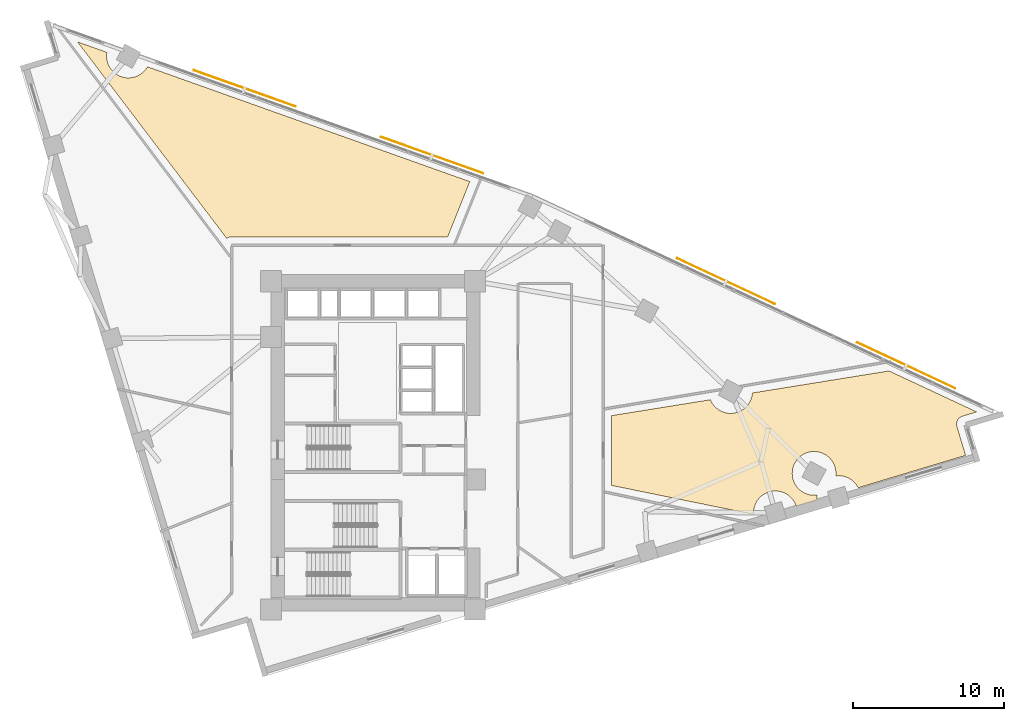
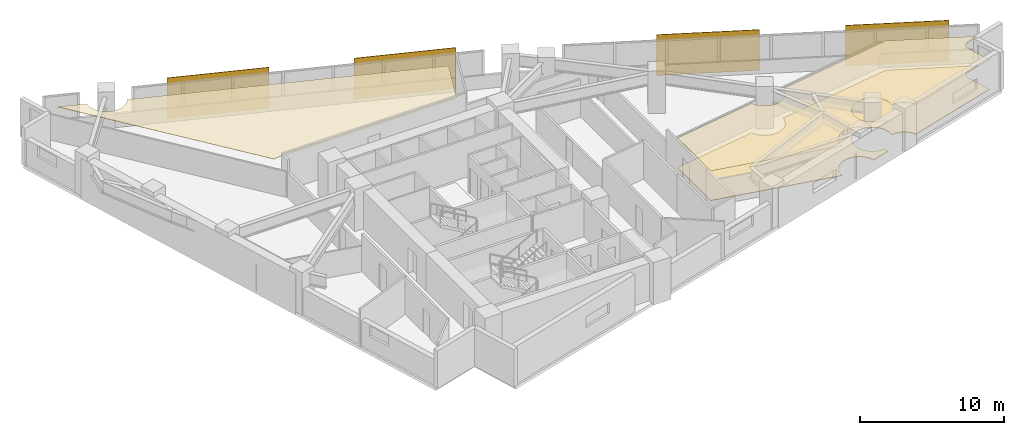
# One storey, part 14 of 14: 4 shading devices, 3 coverings.
"""IFC4 building model written with IfcOpenShell, lengths in metres."""

import ifcopenshell
import ifcopenshell.guid

model = None  # the IFC model being written
_history = None  # IfcOwnerHistory: only IFC2X3 demands one
_inside = {}  # id of a spatial element -> (the spatial element, [elements in it])
_under = {}  # id of a project, library or spatial element -> (it, [spatial elements below it])
_declared = {}  # id of a project -> (the project, [libraries it declares])
_typed = {}  # id of a type object -> (the type object, [elements of that type])
_made_of = {}  # id of a material, layer set ... -> (it, [elements and type objects made of it])


def new_model(schema):
    """Start an empty IFC model of exactly this schema.

    Asked for "IFC4X3", IfcOpenShell would pick the latest addendum, in which some entities
    have other attributes; the version numbers below select the first issue.
    IFC2X3 requires an IfcOwnerHistory on every rooted entity: one is made here for all.
    """
    global model, _history
    if schema == "IFC4X3":
        model = ifcopenshell.file(schema_version=(4, 3, 0, 0))
    else:
        model = ifcopenshell.file(schema=schema)
    _inside.clear()
    _under.clear()
    _declared.clear()
    _typed.clear()
    _made_of.clear()
    _history = None
    if model.schema == "IFC2X3":
        org = make("IfcOrganization", Name="unknown")
        user = make(
            "IfcPersonAndOrganization",
            ThePerson=make("IfcPerson", FamilyName="unknown"),
            TheOrganization=org,
        )
        app = make(
            "IfcApplication",
            ApplicationDeveloper=org,
            Version="unknown",
            ApplicationFullName="unknown",
            ApplicationIdentifier="unknown",
        )
        _history = make(
            "IfcOwnerHistory",
            OwningUser=user,
            OwningApplication=app,
            ChangeAction="ADDED",
            CreationDate=0,
        )
    return model


def make(cls, **values):
    """One entity of the class cls with the attributes given. An attribute that is None is left unset."""
    return model.create_entity(
        cls, **{name: value for name, value in values.items() if value is not None}
    )


def rooted(cls, **values):
    """An entity with a GlobalId (a new one), such as an element, a storey or a relation."""
    return make(cls, GlobalId=ifcopenshell.guid.new(), OwnerHistory=_history, **values)


def si_unit(unit_type, name, prefix=None):
    """IfcSIUnit, for example si_unit("LENGTHUNIT", "METRE", prefix="MILLI")."""
    return make("IfcSIUnit", UnitType=unit_type, Prefix=prefix, Name=name)


def assignment(units):
    """IfcUnitAssignment: the units of a project."""
    return None if units is None else make("IfcUnitAssignment", Units=units)


def point(xyz):
    """IfcCartesianPoint."""
    return None if xyz is None else make("IfcCartesianPoint", Coordinates=xyz)


def direction(xyz):
    """IfcDirection."""
    return None if xyz is None else make("IfcDirection", DirectionRatios=xyz)


def frame(location, z_axis=None, x_axis=None):
    """IfcAxis2Placement3D, a coordinate frame: its origin and axes. An axis left out is left unset."""
    return make(
        "IfcAxis2Placement3D",
        Location=point(location),
        Axis=direction(z_axis),
        RefDirection=direction(x_axis),
    )


def frame_2d(location, x_axis=None):
    """IfcAxis2Placement2D, a coordinate frame in the plane: its origin and x axis."""
    return make(
        "IfcAxis2Placement2D", Location=point(location), RefDirection=direction(x_axis)
    )


def origin():
    """The frame at (0, 0, 0) with its axes left unset."""
    return frame((0.0, 0.0, 0.0))


def origin_2d():
    """The frame at (0, 0) in the plane with its x axis left unset."""
    return frame_2d((0.0, 0.0))


def place(relative_to, where):
    """IfcLocalPlacement: puts the frame where relative to a parent placement (None: the world)."""
    return make(
        "IfcLocalPlacement", PlacementRelTo=relative_to, RelativePlacement=where
    )


def context(
    kind, dimensions, precision=None, world=None, true_north=None, identifier=None
):
    """IfcGeometricRepresentationContext, for example the 3D "Model" context."""
    return make(
        "IfcGeometricRepresentationContext",
        ContextIdentifier=identifier,
        ContextType=kind,
        CoordinateSpaceDimension=dimensions,
        Precision=precision,
        WorldCoordinateSystem=world,
        TrueNorth=true_north,
    )


def subcontext(parent, identifier, kind, view, scale=None):
    """IfcGeometricRepresentationSubContext, for example "Body" below "Model"."""
    return make(
        "IfcGeometricRepresentationSubContext",
        ContextIdentifier=identifier,
        ContextType=kind,
        ParentContext=parent,
        TargetScale=scale,
        TargetView=view,
    )


def project(units=None, contexts=None):
    """IfcProject with its units and contexts."""
    return rooted(
        "IfcProject",
        Name="project",
        RepresentationContexts=contexts,
        UnitsInContext=assignment(units),
    )


def spatial(cls, under=None, at=None, **own):
    """A site, building, storey or space (cls), placed at a placement, below another one or the project."""
    s = rooted(cls, ObjectPlacement=at, **own)
    if under is not None:
        _under.setdefault(under.id(), (under, []))[1].append(s)
    return s


def polyline(points):
    """IfcPolyline through the points."""
    return make("IfcPolyline", Points=[point(p) for p in points])


def profile(cls, at=None, kind="AREA", **sizes):
    """A parametric profile (cls). Its sizes go by their IFC names, for example OverallWidth=200.0."""
    return make(cls, ProfileType=kind, Position=at, **sizes)


def rectangle(**sizes):
    """IfcRectangleProfileDef."""
    return profile("IfcRectangleProfileDef", **sizes)


def outline(outer, holes=None, kind="AREA"):
    """IfcArbitraryClosedProfileDef: a profile drawn as a closed curve; with holes, ...WithVoids."""
    if holes is None:
        return make("IfcArbitraryClosedProfileDef", ProfileType=kind, OuterCurve=outer)
    return make(
        "IfcArbitraryProfileDefWithVoids",
        ProfileType=kind,
        OuterCurve=outer,
        InnerCurves=holes,
    )


def extrude(swept, where, along, depth):
    """IfcExtrudedAreaSolid: the profile swept, set in the frame where, extruded along a direction by depth."""
    return make(
        "IfcExtrudedAreaSolid",
        SweptArea=swept,
        Position=where,
        ExtrudedDirection=direction(along),
        Depth=depth,
    )


def shape(context_of_items, identifier, shape_type, items):
    """IfcShapeRepresentation: the items that make up one representation, for example the "Body"."""
    return make(
        "IfcShapeRepresentation",
        ContextOfItems=context_of_items,
        RepresentationIdentifier=identifier,
        RepresentationType=shape_type,
        Items=items,
    )


def material(Name=None, Category=None):
    """IfcMaterial."""
    return make("IfcMaterial", Name=Name, Category=Category)


def layer(
    of_material, thickness, ventilated=None, Name=None, Category=None, Priority=None
):
    """IfcMaterialLayer: one layer of a wall or slab, of a material (None: an air gap)."""
    return make(
        "IfcMaterialLayer",
        Material=of_material,
        LayerThickness=thickness,
        IsVentilated=ventilated,
        Name=Name,
        Category=Category,
        Priority=Priority,
    )


def layer_set(layers, Name=None):
    """IfcMaterialLayerSet."""
    return make("IfcMaterialLayerSet", MaterialLayers=layers, LayerSetName=Name)


def made_of(thing, what):
    """Note that an element or type object is made of a material, layer set ...; save() writes the relation."""
    if what is not None:
        _made_of.setdefault(what.id(), (what, []))[1].append(thing)
    return thing


def type_object(cls, material=None, **own):
    """A type object (cls), such as IfcWallType, which elements share."""
    return made_of(rooted(cls, **own), material)


def element(
    cls,
    number,
    at=None,
    inside=None,
    cuts=None,
    type_object=None,
    material=None,
    context=None,
    identifier="Body",
    shape_type=None,
    held_by="IfcProductDefinitionShape",
    body=None,
    shapes=None,
    **own,
):
    """One element of the class cls, such as IfcWall. Its Tag is "e" and its number.

    at: its placement. inside: the storey or other place that contains it. cuts: it is an
    opening in that element (IfcRelVoidsElement). A single representation is given by context,
    identifier, shape_type and body (its items); several are given by shapes. held_by: the class
    of the entity that holds the representations. save() writes the other relations.
    """
    e = rooted(cls, Tag="e%d" % number, ObjectPlacement=at, **own)
    if body is not None:
        shapes = [shape(context, identifier, shape_type, body)]
    if shapes is not None:
        e.Representation = make(held_by, Representations=shapes)
    if inside is not None:
        _inside.setdefault(inside.id(), (inside, []))[1].append(e)
    if cuts is not None:
        rooted(
            "IfcRelVoidsElement", RelatingBuildingElement=cuts, RelatedOpeningElement=e
        )
    if type_object is not None:
        _typed.setdefault(type_object.id(), (type_object, []))[1].append(e)
    return made_of(e, material)


def aggregate(whole, parts):
    """IfcRelAggregates: a whole, such as a stair, and the parts it consists of."""
    return rooted("IfcRelAggregates", RelatingObject=whole, RelatedObjects=parts)


def save(model, path):
    """Write the relations noted so far, then the file.

    IfcRelAggregates (storeys below a building ...), IfcRelContainedInSpatialStructure (elements
    in a storey), IfcRelDefinesByType, IfcRelAssociatesMaterial and IfcRelDeclares: one each for
    every whole, place, type object, material and project.
    """
    for whole, parts in _under.values():
        aggregate(whole, parts)
    for where, things in _inside.values():
        rooted(
            "IfcRelContainedInSpatialStructure",
            RelatedElements=things,
            RelatingStructure=where,
        )
    for kind, things in _typed.values():
        rooted("IfcRelDefinesByType", RelatedObjects=things, RelatingType=kind)
    for what, things in _made_of.values():
        rooted("IfcRelAssociatesMaterial", RelatedObjects=things, RelatingMaterial=what)
    for by, libraries in _declared.values():
        rooted("IfcRelDeclares", RelatingContext=by, RelatedDefinitions=libraries)
    model.write(path)


model = new_model("IFC4")

# Units and contexts
model_context = context("Model", 3, precision=1e-05, world=origin(), true_north=direction((0.0, 1.0)))
body_context = subcontext(model_context, "Body", "Model", "MODEL_VIEW")
ifc_project = project(units=[si_unit("LENGTHUNIT", "METRE"), si_unit("AREAUNIT", "SQUARE_METRE"), si_unit("VOLUMEUNIT", "CUBIC_METRE"), si_unit("PLANEANGLEUNIT", "RADIAN"), si_unit("MASSUNIT", "GRAM", prefix="KILO")], contexts=[model_context])

# Site, building, storey
site_placement = place(None, origin())
site = spatial("IfcSite", under=ifc_project, at=site_placement, CompositionType="ELEMENT")
building_placement = place(site_placement, origin())
building = spatial("IfcBuilding", under=site, at=building_placement, Name="Narakoshi Arena Tower", CompositionType="ELEMENT")
storey_placement = place(building_placement, frame((0.0, 0.0, 161.10009765625)))
storey = spatial("IfcBuildingStorey", under=building, at=storey_placement, Name="L43", CompositionType="ELEMENT", Elevation=161.10009765625)

# Coverings
ifc_material_1 = material(Name="Acoustic mineral-fibre ceiling tile")
ifc_layer_1 = layer(ifc_material_1, 0.02001953125)
ifc_layer_set_1 = layer_set([ifc_layer_1], Name="Acoustic mineral-fibre ceiling tile")
covering_type_1 = type_object("IfcCoveringType", Name="COV-CLG-AC20", PredefinedType="CEILING", material=ifc_layer_set_1)
covering_1_placement = place(storey_placement, frame((0.0, 0.0, 2.52978515625)))
element("IfcCovering", 1, at=covering_1_placement, inside=storey, type_object=covering_type_1, Name="L43 Suspended Acoustic Ceiling 1", PredefinedType="CEILING", context=body_context, shape_type="SweptSolid", body=[
    extrude(outline(polyline([(117.8642578125, 47.522705078125), (117.8154296875, 47.499755859375), (117.76904296875, 47.47216796875), (117.7255859375, 47.43994140625), (117.685546875, 47.40380859375), (117.649169921875, 47.364013671875), (117.616943359375, 47.32080078125), (117.589111328125, 47.2744140625), (117.56591796875, 47.2255859375), (117.547607421875, 47.1748046875), (117.534423828125, 47.12255859375), (117.5263671875, 47.069091796875), (117.523681640625, 47.015380859375), (117.526123046875, 46.96142578125), (117.533935546875, 46.907958984375), (117.546875, 46.855712890625), (118.1240234375, 44.93798828125), (110.98681640625, 42.789794921875), (110.971435546875, 42.82275390625), (110.898193359375, 42.94482421875), (110.8134765625, 43.05908203125), (110.718017578125, 43.16455078125), (110.612548828125, 43.260009765625), (110.498291015625, 43.3447265625), (110.376220703125, 43.41796875), (110.24755859375, 43.478759765625), (110.113525390625, 43.52685546875), (109.9755859375, 43.561279296875), (109.834716796875, 43.582275390625), (109.692626953125, 43.589111328125), (109.550537109375, 43.582275390625), (109.5, 43.57470703125), (109.504150390625, 43.603515625), (109.51123046875, 43.74560546875), (109.504150390625, 43.8876953125), (109.4833984375, 44.0283203125), (109.44873046875, 44.16650390625), (109.40087890625, 44.30029296875), (109.340087890625, 44.428955078125), (109.266845703125, 44.551025390625), (109.18212890625, 44.665283203125), (109.08642578125, 44.770751953125), (108.981201171875, 44.866455078125), (108.86669921875, 44.951171875), (108.74462890625, 45.0244140625), (108.6162109375, 45.085205078125), (108.482177734375, 45.133056640625), (108.343994140625, 45.16748046875), (108.203369140625, 45.1884765625), (108.061279296875, 45.195556640625), (107.919189453125, 45.1884765625), (107.7783203125, 45.16748046875), (107.640380859375, 45.133056640625), (107.50634765625, 45.085205078125), (107.377685546875, 45.0244140625), (107.255615234375, 44.951171875), (107.141357421875, 44.866455078125), (107.035888671875, 44.770751953125), (106.940185546875, 44.665283203125), (106.855712890625, 44.551025390625), (106.782470703125, 44.428955078125), (106.7216796875, 44.30029296875), (106.673583984375, 44.16650390625), (106.63916015625, 44.0283203125), (106.6181640625, 43.8876953125), (106.611083984375, 43.74560546875), (106.6181640625, 43.603515625), (106.63916015625, 43.462646484375), (106.673583984375, 43.32470703125), (106.7216796875, 43.190673828125), (106.782470703125, 43.06201171875), (106.855712890625, 42.93994140625), (106.940185546875, 42.82568359375), (107.035888671875, 42.72021484375), (107.141357421875, 42.62451171875), (107.255615234375, 42.539794921875), (107.377685546875, 42.466796875), (107.50634765625, 42.406005859375), (107.640380859375, 42.35791015625), (107.7783203125, 42.323486328125), (107.919189453125, 42.302490234375), (108.061279296875, 42.29541015625), (108.203369140625, 42.302490234375), (108.25390625, 42.31005859375), (108.24951171875, 42.28125), (108.24267578125, 42.13916015625), (108.24951171875, 41.9970703125), (108.25390625, 41.96728515625), (106.87890625, 41.553466796875), (106.833251953125, 41.680908203125), (106.7724609375, 41.8095703125), (106.69921875, 41.931640625), (106.614501953125, 42.0458984375), (106.51904296875, 42.1513671875), (106.41357421875, 42.2470703125), (106.29931640625, 42.331787109375), (106.17724609375, 42.40478515625), (106.048583984375, 42.4658203125), (105.91455078125, 42.513671875), (105.776611328125, 42.548095703125), (105.6357421875, 42.569091796875), (105.49365234375, 42.576171875), (105.3515625, 42.569091796875), (105.210693359375, 42.548095703125), (105.07275390625, 42.513671875), (104.938720703125, 42.4658203125), (104.810302734375, 42.40478515625), (104.68798828125, 42.331787109375), (104.57373046875, 42.2470703125), (104.468505859375, 42.1513671875), (104.372802734375, 42.0458984375), (104.2880859375, 41.931640625), (104.21484375, 41.8095703125), (104.154052734375, 41.680908203125), (104.106201171875, 41.547119140625), (104.071533203125, 41.408935546875), (104.05078125, 41.268310546875), (104.043701171875, 41.126220703125), (104.048828125, 41.019775390625), (94.60009765625, 42.948486328125), (94.60009765625, 47.57568359375), (101.1787109375, 48.63525390625), (101.1826171875, 48.62451171875), (101.243408203125, 48.495849609375), (101.31640625, 48.373779296875), (101.401123046875, 48.259521484375), (101.496826171875, 48.154052734375), (101.602294921875, 48.058349609375), (101.716552734375, 47.9736328125), (101.838623046875, 47.900390625), (101.96728515625, 47.839599609375), (102.101318359375, 47.791748046875), (102.2392578125, 47.757080078125), (102.3798828125, 47.736328125), (102.522216796875, 47.729248046875), (102.664306640625, 47.736328125), (102.804931640625, 47.757080078125), (102.943115234375, 47.791748046875), (103.076904296875, 47.839599609375), (103.20556640625, 47.900390625), (103.32763671875, 47.9736328125), (103.44189453125, 48.058349609375), (103.54736328125, 48.154052734375), (103.64306640625, 48.259521484375), (103.727783203125, 48.373779296875), (103.80078125, 48.495849609375), (103.86181640625, 48.62451171875), (103.90966796875, 48.75830078125), (103.944091796875, 48.896484375), (103.965087890625, 49.037109375), (103.96728515625, 49.08447265625), (113.036376953125, 50.545166015625), (118.8564453125, 47.823974609375), (117.9150390625, 47.540771484375), (117.8642578125, 47.522705078125)])), origin(), (0.0, 0.0, 1.0), 0.02001953125),
])
ifc_material_2 = material(Name="Slatted oak acoustic timber baffle", Category="wood")
ifc_layer_2 = layer(ifc_material_2, 0.034912109375)
ifc_layer_set_2 = layer_set([ifc_layer_2], Name="Slatted oak acoustic timber baffle")
covering_type_2 = type_object("IfcCoveringType", Name="COV-CLG-WD35", PredefinedType="CEILING", material=ifc_layer_set_2)
covering_2_placement = place(storey_placement, frame((0.0, 0.0, 2.514892578125)))
element("IfcCovering", 2, at=covering_2_placement, inside=storey, type_object=covering_type_2, Name="L43 Suspended Acoustic Ceiling 2", PredefinedType="CEILING", context=body_context, shape_type="SweptSolid", body=[
    extrude(outline(polyline([(59.1669921875, 72.38818359375), (61.1171875, 71.693603515625), (61.102294921875, 71.59228515625), (61.09521484375, 71.4501953125), (61.102294921875, 71.30810546875), (61.123046875, 71.16748046875), (61.15771484375, 71.029296875), (61.20556640625, 70.8955078125), (61.266357421875, 70.766845703125), (61.339599609375, 70.644775390625), (61.42431640625, 70.530517578125), (61.52001953125, 70.425048828125), (61.625244140625, 70.329345703125), (61.739501953125, 70.24462890625), (61.86181640625, 70.17138671875), (61.990234375, 70.110595703125), (62.124267578125, 70.062744140625), (62.26220703125, 70.0283203125), (62.403076171875, 70.00732421875), (62.545166015625, 70.000244140625), (62.687255859375, 70.00732421875), (62.828125, 70.0283203125), (62.966064453125, 70.062744140625), (63.10009765625, 70.110595703125), (63.228759765625, 70.17138671875), (63.350830078125, 70.24462890625), (63.465087890625, 70.329345703125), (63.570556640625, 70.425048828125), (63.666015625, 70.530517578125), (63.750732421875, 70.644775390625), (63.8056640625, 70.736083984375), (85.207275390625, 63.113525390625), (83.740234375, 59.449951171875), (69.39990234375, 59.449951171875), (69.34619140625, 59.447509765625), (69.292724609375, 59.439453125), (69.240234375, 59.42626953125), (69.189453125, 59.408203125), (69.140625, 59.385009765625), (69.094482421875, 59.357421875), (69.07275390625, 59.34130859375), (59.1669921875, 72.38818359375)])), origin(), (0.0, 0.0, 1.0), 0.034912109375),
])
ifc_material_3 = material(Name="Raised steel access floor panel", Category="steel")
ifc_layer_3 = layer(ifc_material_3, 0.044921875)
ifc_layer_set_3 = layer_set([ifc_layer_3], Name="Raised steel access floor panel")
covering_type_3 = type_object("IfcCoveringType", Name="COV-FLR-RF45", PredefinedType="FLOORING", material=ifc_layer_set_3)
covering_3_placement = place(storey_placement, origin())
element("IfcCovering", 3, at=covering_3_placement, inside=storey, type_object=covering_type_3, Name="L43 Raised Steel Access Floor", PredefinedType="FLOORING", context=body_context, shape_type="SweptSolid", body=[
    extrude(outline(polyline([(117.8642578125, 47.522705078125), (117.8154296875, 47.499755859375), (117.76904296875, 47.47216796875), (117.7255859375, 47.43994140625), (117.685546875, 47.40380859375), (117.649169921875, 47.364013671875), (117.616943359375, 47.32080078125), (117.589111328125, 47.2744140625), (117.56591796875, 47.2255859375), (117.547607421875, 47.1748046875), (117.534423828125, 47.12255859375), (117.5263671875, 47.069091796875), (117.523681640625, 47.015380859375), (117.526123046875, 46.96142578125), (117.533935546875, 46.907958984375), (117.546875, 46.855712890625), (118.1240234375, 44.93798828125), (110.98681640625, 42.789794921875), (110.971435546875, 42.82275390625), (110.898193359375, 42.94482421875), (110.8134765625, 43.05908203125), (110.718017578125, 43.16455078125), (110.612548828125, 43.260009765625), (110.498291015625, 43.3447265625), (110.376220703125, 43.41796875), (110.24755859375, 43.478759765625), (110.113525390625, 43.52685546875), (109.9755859375, 43.561279296875), (109.834716796875, 43.582275390625), (109.692626953125, 43.589111328125), (109.550537109375, 43.582275390625), (109.5, 43.57470703125), (109.504150390625, 43.603515625), (109.51123046875, 43.74560546875), (109.504150390625, 43.8876953125), (109.4833984375, 44.0283203125), (109.44873046875, 44.16650390625), (109.40087890625, 44.30029296875), (109.340087890625, 44.428955078125), (109.266845703125, 44.551025390625), (109.18212890625, 44.665283203125), (109.08642578125, 44.770751953125), (108.981201171875, 44.866455078125), (108.86669921875, 44.951171875), (108.74462890625, 45.0244140625), (108.6162109375, 45.085205078125), (108.482177734375, 45.133056640625), (108.343994140625, 45.16748046875), (108.203369140625, 45.1884765625), (108.061279296875, 45.195556640625), (107.919189453125, 45.1884765625), (107.7783203125, 45.16748046875), (107.640380859375, 45.133056640625), (107.50634765625, 45.085205078125), (107.377685546875, 45.0244140625), (107.255615234375, 44.951171875), (107.141357421875, 44.866455078125), (107.035888671875, 44.770751953125), (106.940185546875, 44.665283203125), (106.855712890625, 44.551025390625), (106.782470703125, 44.428955078125), (106.7216796875, 44.30029296875), (106.673583984375, 44.16650390625), (106.63916015625, 44.0283203125), (106.6181640625, 43.8876953125), (106.611083984375, 43.74560546875), (106.6181640625, 43.603515625), (106.63916015625, 43.462646484375), (106.673583984375, 43.32470703125), (106.7216796875, 43.190673828125), (106.782470703125, 43.06201171875), (106.855712890625, 42.93994140625), (106.940185546875, 42.82568359375), (107.035888671875, 42.72021484375), (107.141357421875, 42.62451171875), (107.255615234375, 42.539794921875), (107.377685546875, 42.466796875), (107.50634765625, 42.406005859375), (107.640380859375, 42.35791015625), (107.7783203125, 42.323486328125), (107.919189453125, 42.302490234375), (108.061279296875, 42.29541015625), (108.203369140625, 42.302490234375), (108.25390625, 42.31005859375), (108.24951171875, 42.28125), (108.24267578125, 42.13916015625), (108.24951171875, 41.9970703125), (108.25390625, 41.96728515625), (106.87890625, 41.553466796875), (106.833251953125, 41.680908203125), (106.7724609375, 41.8095703125), (106.69921875, 41.931640625), (106.614501953125, 42.0458984375), (106.51904296875, 42.1513671875), (106.41357421875, 42.2470703125), (106.29931640625, 42.331787109375), (106.17724609375, 42.40478515625), (106.048583984375, 42.4658203125), (105.91455078125, 42.513671875), (105.776611328125, 42.548095703125), (105.6357421875, 42.569091796875), (105.49365234375, 42.576171875), (105.3515625, 42.569091796875), (105.210693359375, 42.548095703125), (105.07275390625, 42.513671875), (104.938720703125, 42.4658203125), (104.810302734375, 42.40478515625), (104.68798828125, 42.331787109375), (104.57373046875, 42.2470703125), (104.468505859375, 42.1513671875), (104.372802734375, 42.0458984375), (104.2880859375, 41.931640625), (104.21484375, 41.8095703125), (104.154052734375, 41.680908203125), (104.106201171875, 41.547119140625), (104.071533203125, 41.408935546875), (104.05078125, 41.268310546875), (104.043701171875, 41.126220703125), (104.048828125, 41.019775390625), (94.60009765625, 42.948486328125), (94.60009765625, 47.57568359375), (101.1787109375, 48.63525390625), (101.1826171875, 48.62451171875), (101.243408203125, 48.495849609375), (101.31640625, 48.373779296875), (101.401123046875, 48.259521484375), (101.496826171875, 48.154052734375), (101.602294921875, 48.058349609375), (101.716552734375, 47.9736328125), (101.838623046875, 47.900390625), (101.96728515625, 47.839599609375), (102.101318359375, 47.791748046875), (102.2392578125, 47.757080078125), (102.3798828125, 47.736328125), (102.522216796875, 47.729248046875), (102.664306640625, 47.736328125), (102.804931640625, 47.757080078125), (102.943115234375, 47.791748046875), (103.076904296875, 47.839599609375), (103.20556640625, 47.900390625), (103.32763671875, 47.9736328125), (103.44189453125, 48.058349609375), (103.54736328125, 48.154052734375), (103.64306640625, 48.259521484375), (103.727783203125, 48.373779296875), (103.80078125, 48.495849609375), (103.86181640625, 48.62451171875), (103.90966796875, 48.75830078125), (103.944091796875, 48.896484375), (103.965087890625, 49.037109375), (103.96728515625, 49.08447265625), (113.036376953125, 50.545166015625), (118.8564453125, 47.823974609375), (117.9150390625, 47.540771484375), (117.8642578125, 47.522705078125)])), origin(), (0.0, 0.0, 1.0), 0.044921875),
])

# Shading devices
ifc_material_4 = material(Name="Perforated bronze ceramic-metal composite")
ifc_layer_4 = layer(ifc_material_4, 0.044921875)
ifc_layer_set_4 = layer_set([ifc_layer_4], Name="Perforated bronze ceramic-metal composite")
shading_device_type = type_object("IfcShadingDeviceType", Name="SHD-SCR-BRZ1", PredefinedType="USERDEFINED", material=ifc_layer_set_4)
for number, where, z_axis, x_axis, name in (
    (4, (114.172607421875, 50.910888671875, 0.0), (0.0, 0.0, 1.0), (-0.9058795101, 0.423535492234, 0.0), "L43 Perforated Bronze Solar Screen 1-1"),
    (5, (102.21484375, 56.50146484375, 0.0), (0.0, 0.0, 1.0), (-0.9058795101, 0.423535492234, 0.0), "L43 Perforated Bronze Solar Screen 1-2"),
    (6, (82.70068359375, 64.868896484375, 0.0), (0.0, 0.0, 1.0), (-0.942034031554, 0.33551733695, 0.0), "L43 Perforated Bronze Solar Screen 2-1"),
    (7, (70.265869140625, 69.297607421875, 0.0), (0.0, 0.0, 1.0), (-0.942034031554, 0.33551733695, 0.0), "L43 Perforated Bronze Solar Screen 2-2"),
):
    element("IfcShadingDevice", number, at=place(storey_placement, frame(where, z_axis=z_axis, x_axis=x_axis)), inside=storey, type_object=shading_device_type, Name=name, ObjectType="SOLAR SCREEN", PredefinedType="USERDEFINED", context=body_context, shape_type="SweptSolid", body=[
        extrude(rectangle(XDim=7.199951171875, YDim=0.044921875, at=origin_2d()), origin(), (0.0, 0.0, 1.0), 3.449951171875),
    ])

save(model, "model.ifc")
